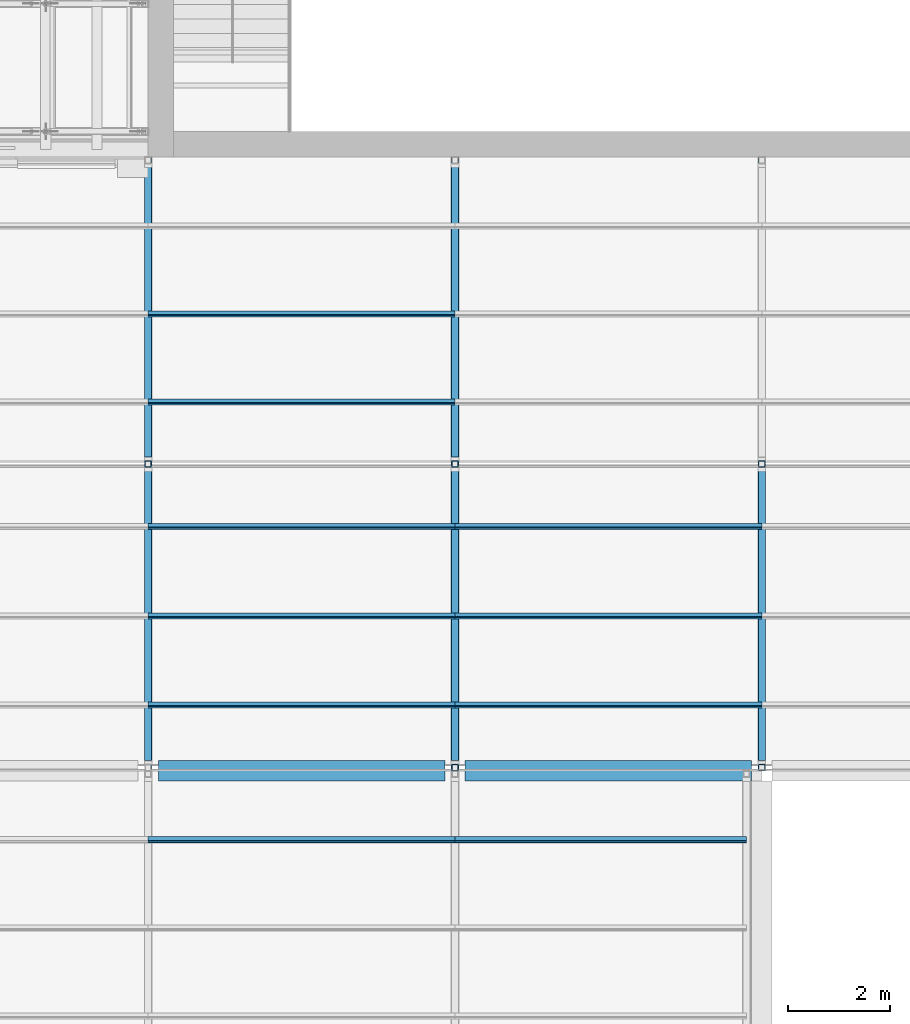
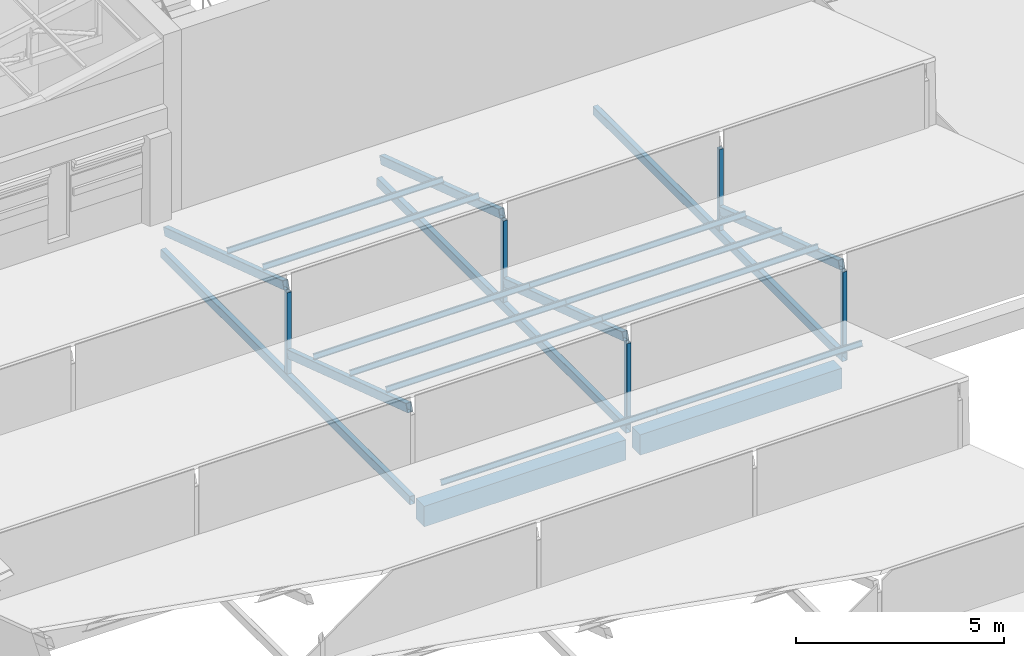
# One storey, part 14 of 118: 23 members, 2 beams.
"""IFC4 building model written with IfcOpenShell, lengths in metres."""

from ifc_helpers import new_model, si_unit, direction, frame, origin, origin_2d, place, context, subcontext, project, spatial, rectangle, hollow_rectangle, i_section, extrude, material, material_profile, profile_set, type_object, element, save


model = new_model("IFC4")

# Units and contexts
model_context = context("Model", 3, precision=1e-05, world=origin(), true_north=direction((0.0, 1.0)))
body_context = subcontext(model_context, "Body", "Model", "MODEL_VIEW")
ifc_project = project(units=[si_unit("LENGTHUNIT", "METRE"), si_unit("AREAUNIT", "SQUARE_METRE"), si_unit("VOLUMEUNIT", "CUBIC_METRE"), si_unit("PLANEANGLEUNIT", "RADIAN"), si_unit("MASSUNIT", "GRAM", prefix="KILO")], contexts=[model_context])

# Site, building, storey
site_placement = place(None, origin())
site = spatial("IfcSite", under=ifc_project, at=site_placement, CompositionType="ELEMENT")
building_placement = place(site_placement, origin())
building = spatial("IfcBuilding", under=site, at=building_placement, Name="Saffron Lane Theatres", CompositionType="ELEMENT")
storey_placement = place(building_placement, frame((0.0, 0.0, 16.5)))
storey = spatial("IfcBuildingStorey", under=building, at=storey_placement, Name="L03", CompositionType="ELEMENT", Elevation=16.5)

# Beams
ifc_material_1 = material(Name="Concrete N40 (40 MPa)", Category="concrete")
ifc_material_profile_1 = material_profile(ifc_material_1, rectangle(XDim=0.39990234375, YDim=0.60009765625, at=origin_2d()))
ifc_profile_set_1 = profile_set([ifc_material_profile_1], Name="Concrete N40 (40 MPa)")
beam_type = type_object("IfcBeamType", Name="RC-BEAM 400x600", PredefinedType="BEAM", material=ifc_profile_set_1)
for number, where, z_axis, x_axis, name in (
    (1, (18.199951171875, 18.0, -0.300048828125), (1.0, 0.0, 0.0), (0.0, 1.0, 0.0), "beam-eaves-x180-362"),
    (2, (24.199951171875, 18.0, -0.300048828125), (1.0, 0.0, 0.0), (0.0, 1.0, 0.0), "beam-eaves-x180-422"),
):
    element("IfcBeam", number, at=place(storey_placement, frame(where, z_axis=z_axis, x_axis=x_axis)), inside=storey, type_object=beam_type, Name=name, PredefinedType="BEAM", context=body_context, shape_type="SweptSolid", body=[
        extrude(rectangle(XDim=0.39990234375, YDim=0.60009765625, at=origin_2d()), origin(), (0.0, 0.0, 1.0), 5.60009765625),
    ])

# Members
ifc_material_2 = material(Name="Steel Grade 350", Category="steel")
ifc_material_profile_2 = material_profile(ifc_material_2, hollow_rectangle(XDim=0.125, YDim=0.125, WallThickness=0.006103515625, InnerFilletRadius=0.0029296875, OuterFilletRadius=0.009033203125, at=origin_2d()))
ifc_profile_set_2 = profile_set([ifc_material_profile_2], Name="Steel Grade 350")
member_type_1 = type_object("IfcMemberType", Name="ST-STUDIO POST 125x125x6 SHS", PredefinedType="POST", material=ifc_profile_set_2)
for number, where, z_axis, x_axis, name in (
    (3, (18.0, 24.0, 0.25), (0.0, 0.0, 1.0), (1.0, 0.0, 0.0), "GSP16"),
    (4, (24.0, 18.0625, 0.25), (0.0, 0.0, 1.0), (1.0, 0.0, 0.0), "GSP20"),
    (5, (24.0, 24.0, 0.25), (0.0, 0.0, 1.0), (1.0, 0.0, 0.0), "GSP22"),
    (6, (30.0, 18.0625, 0.25), (0.0, 0.0, 1.0), (1.0, 0.0, 0.0), "GSP26"),
    (7, (30.0, 24.0, 0.25), (0.0, 0.0, 1.0), (1.0, 0.0, 0.0), "GSP28"),
):
    element("IfcMember", number, at=place(storey_placement, frame(where, z_axis=z_axis, x_axis=x_axis)), inside=storey, type_object=member_type_1, Name=name, PredefinedType="POST", context=body_context, shape_type="SweptSolid", body=[
        extrude(hollow_rectangle(XDim=0.125, YDim=0.125, WallThickness=0.006103515625, InnerFilletRadius=0.0029296875, OuterFilletRadius=0.009033203125, at=origin_2d()), origin(), (0.0, 0.0, 1.0), 2.388671875),
    ])
ifc_material_3 = material(Name="Steel Grade 350", Category="steel")
ifc_material_profile_3 = material_profile(ifc_material_3, i_section(OverallWidth=0.074951171875, OverallDepth=0.155029296875, WebThickness=0.006103515625, FlangeThickness=0.009521484375, FilletRadius=0.008056640625, at=origin_2d()))
ifc_profile_set_3 = profile_set([ifc_material_profile_3], Name="Steel Grade 350")
member_type_2 = type_object("IfcMemberType", Name="ST-STUDIO PURLIN 150UB18.0", PredefinedType="PURLIN", material=ifc_profile_set_3)
member_1_placement = place(storey_placement, frame((18.0, 16.652587890625, 1.468994140625), z_axis=(1.0, 0.0, 0.0), x_axis=(0.0, 0.949628648787, -0.313377455162)))
element("IfcMember", 8, at=member_1_placement, inside=storey, type_object=member_type_2, Name="GBU75", PredefinedType="PURLIN", context=body_context, shape_type="SweptSolid", body=[
    extrude(i_section(OverallWidth=0.074951171875, OverallDepth=0.155029296875, WebThickness=0.006103515625, FlangeThickness=0.009521484375, FilletRadius=0.008056640625, at=origin_2d()), origin(), (0.0, 0.0, 1.0), 6.0),
])
member_2_placement = place(storey_placement, frame((24.0, 16.652587890625, 1.468994140625), z_axis=(1.0, 0.0, 0.0), x_axis=(0.0, 0.949628648787, -0.313377455162)))
element("IfcMember", 9, at=member_2_placement, inside=storey, type_object=member_type_2, Name="GBU76", PredefinedType="PURLIN", context=body_context, shape_type="SweptSolid", body=[
    extrude(i_section(OverallWidth=0.074951171875, OverallDepth=0.155029296875, WebThickness=0.006103515625, FlangeThickness=0.009521484375, FilletRadius=0.008056640625, at=origin_2d()), origin(), (0.0, 0.0, 1.0), 5.699951171875),
])
for number, where, z_axis, x_axis, name in (
    (10, (18.0, 19.28759765625, 2.60009765625), (1.0, 0.0, 0.0), (0.0, 0.949628648787, -0.313377455162), "GSU39"),
    (11, (24.0, 19.28759765625, 2.60009765625), (1.0, 0.0, 0.0), (0.0, 0.949628648787, -0.313377455162), "GSU40"),
    (12, (18.0, 21.03125, 2.024658203125), (1.0, 0.0, 0.0), (0.0, 0.949628648787, -0.313377455162), "GSU44"),
    (13, (24.0, 21.03125, 2.024658203125), (1.0, 0.0, 0.0), (0.0, 0.949628648787, -0.313377455162), "GSU45"),
    (14, (18.0, 22.77490234375, 1.44921875), (1.0, 0.0, 0.0), (0.0, 0.949628648787, -0.313377455162), "GSU49"),
    (15, (24.0, 22.77490234375, 1.44921875), (1.0, 0.0, 0.0), (0.0, 0.949628648787, -0.313377455162), "GSU50"),
    (16, (18.0, 25.2099609375, 2.60498046875), (1.0, 0.0, 0.0), (0.0, 0.949628648787, -0.313377455162), "GSU54"),
    (17, (18.0, 26.93115234375, 2.036865234375), (1.0, 0.0, 0.0), (0.0, 0.949628648787, -0.313377455162), "GSU59"),
):
    element("IfcMember", number, at=place(storey_placement, frame(where, z_axis=z_axis, x_axis=x_axis)), inside=storey, type_object=member_type_2, Name=name, PredefinedType="PURLIN", context=body_context, shape_type="SweptSolid", body=[
        extrude(i_section(OverallWidth=0.074951171875, OverallDepth=0.155029296875, WebThickness=0.006103515625, FlangeThickness=0.009521484375, FilletRadius=0.008056640625, at=origin_2d()), origin(), (0.0, 0.0, 1.0), 6.0),
    ])
ifc_material_4 = material(Name="Steel Grade 350", Category="steel")
ifc_material_profile_4 = material_profile(ifc_material_4, hollow_rectangle(XDim=0.14990234375, YDim=0.25, WallThickness=0.009033203125, InnerFilletRadius=0.00439453125, OuterFilletRadius=0.013427734375, at=origin_2d()))
ifc_profile_set_4 = profile_set([ifc_material_profile_4], Name="Steel Grade 350")
member_type_3 = type_object("IfcMemberType", Name="ST-STUDIO TRUSS CHORD 250x150x9 RHS", PredefinedType="CHORD", material=ifc_profile_set_4)
member_3_placement = place(storey_placement, frame((18.0, 18.02001953125, 0.125), z_axis=(0.0, 1.0, 0.0), x_axis=(-1.0, 0.0, 0.0)))
element("IfcMember", 18, at=member_3_placement, inside=storey, type_object=member_type_3, Name="GST13", PredefinedType="CHORD", context=body_context, shape_type="SweptSolid", body=[
    extrude(hollow_rectangle(XDim=0.14990234375, YDim=0.25, WallThickness=0.009033203125, InnerFilletRadius=0.00439453125, OuterFilletRadius=0.013427734375, at=origin_2d()), origin(), (0.0, 0.0, 1.0), 11.97998046875),
])
for number, where, z_axis, x_axis, name in (
    (19, (18.0, 18.1640625, 2.757568359375), (0.0, 0.949629130372, -0.313375995807), (-1.0, 0.0, 0.0), "GSC15"),
    (20, (18.0, 24.1015625, 2.757568359375), (0.0, 0.949629130372, -0.313375995807), (-1.0, 0.0, 0.0), "GSC18"),
):
    element("IfcMember", number, at=place(storey_placement, frame(where, z_axis=z_axis, x_axis=x_axis)), inside=storey, type_object=member_type_3, Name=name, PredefinedType="CHORD", context=body_context, shape_type="SweptSolid", body=[
        extrude(hollow_rectangle(XDim=0.14990234375, YDim=0.25, WallThickness=0.009033203125, InnerFilletRadius=0.00439453125, OuterFilletRadius=0.013427734375, at=origin_2d()), origin(), (0.0, 0.0, 1.0), 6.03857421875),
    ])
member_4_placement = place(storey_placement, frame((24.0, 18.02001953125, 0.125), z_axis=(0.0, 1.0, 0.0), x_axis=(-1.0, 0.0, 0.0)))
element("IfcMember", 21, at=member_4_placement, inside=storey, type_object=member_type_3, Name="GST19", PredefinedType="CHORD", context=body_context, shape_type="SweptSolid", body=[
    extrude(hollow_rectangle(XDim=0.14990234375, YDim=0.25, WallThickness=0.009033203125, InnerFilletRadius=0.00439453125, OuterFilletRadius=0.013427734375, at=origin_2d()), origin(), (0.0, 0.0, 1.0), 11.97998046875),
])
for number, where, z_axis, x_axis, name in (
    (22, (24.0, 18.1640625, 2.757568359375), (0.0, 0.949629130372, -0.313375995807), (-1.0, 0.0, 0.0), "GSC21"),
    (23, (24.0, 24.1015625, 2.757568359375), (0.0, 0.949629130372, -0.313375995807), (-1.0, 0.0, 0.0), "GSC24"),
):
    element("IfcMember", number, at=place(storey_placement, frame(where, z_axis=z_axis, x_axis=x_axis)), inside=storey, type_object=member_type_3, Name=name, PredefinedType="CHORD", context=body_context, shape_type="SweptSolid", body=[
        extrude(hollow_rectangle(XDim=0.14990234375, YDim=0.25, WallThickness=0.009033203125, InnerFilletRadius=0.00439453125, OuterFilletRadius=0.013427734375, at=origin_2d()), origin(), (0.0, 0.0, 1.0), 6.03857421875),
    ])
member_5_placement = place(storey_placement, frame((30.0, 18.02001953125, 0.125), z_axis=(0.0, 1.0, 0.0), x_axis=(-1.0, 0.0, 0.0)))
element("IfcMember", 24, at=member_5_placement, inside=storey, type_object=member_type_3, Name="GST25", PredefinedType="CHORD", context=body_context, shape_type="SweptSolid", body=[
    extrude(hollow_rectangle(XDim=0.14990234375, YDim=0.25, WallThickness=0.009033203125, InnerFilletRadius=0.00439453125, OuterFilletRadius=0.013427734375, at=origin_2d()), origin(), (0.0, 0.0, 1.0), 11.97998046875),
])
member_6_placement = place(storey_placement, frame((30.0, 18.1640625, 2.757568359375), z_axis=(0.0, 0.949629130372, -0.313375995807), x_axis=(-1.0, 0.0, 0.0)))
element("IfcMember", 25, at=member_6_placement, inside=storey, type_object=member_type_3, Name="GSC27", PredefinedType="CHORD", context=body_context, shape_type="SweptSolid", body=[
    extrude(hollow_rectangle(XDim=0.14990234375, YDim=0.25, WallThickness=0.009033203125, InnerFilletRadius=0.00439453125, OuterFilletRadius=0.013427734375, at=origin_2d()), origin(), (0.0, 0.0, 1.0), 6.03857421875),
])

save(model, "model.ifc")
